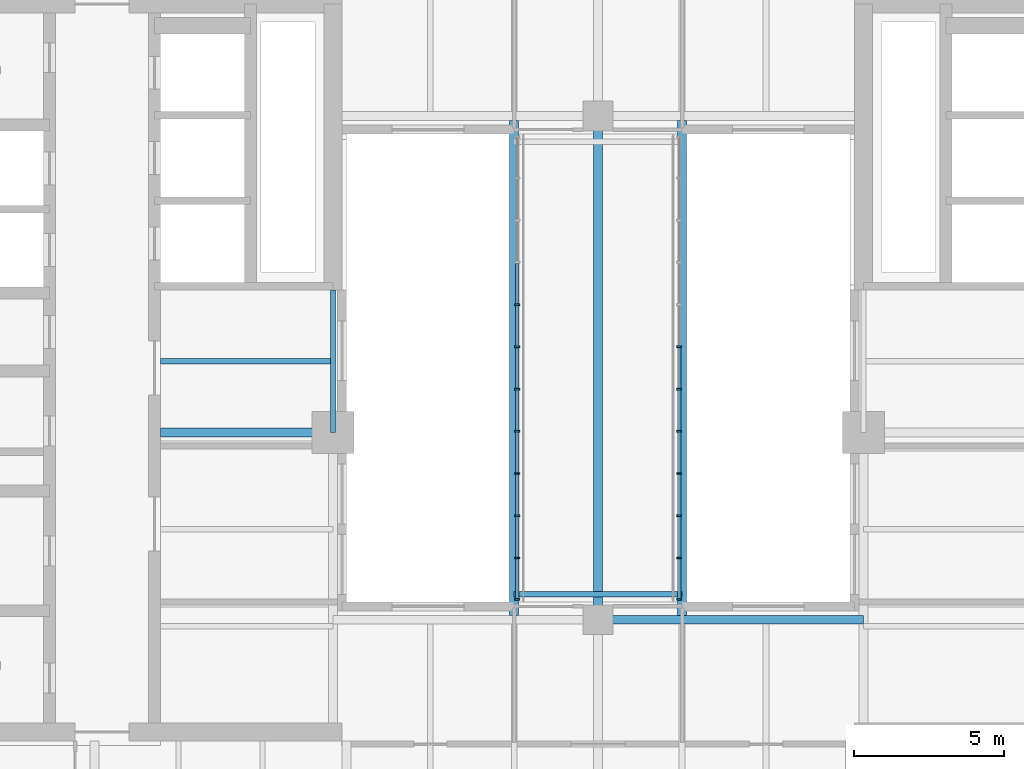
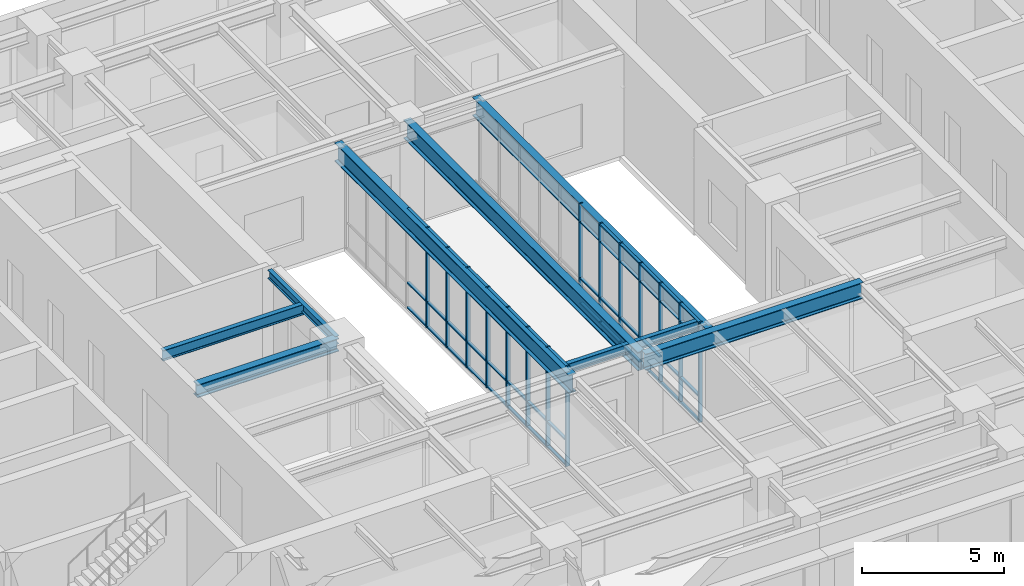
# One storey, part 2 of 14: 56 members, 8 beams, 2 elements without a shape of their own.
"""IFC4 building model written with IfcOpenShell, lengths in metres."""

import ifcopenshell
import ifcopenshell.guid

model = None  # the IFC model being written
_history = None  # IfcOwnerHistory: only IFC2X3 demands one
_inside = {}  # id of a spatial element -> (the spatial element, [elements in it])
_under = {}  # id of a project, library or spatial element -> (it, [spatial elements below it])
_declared = {}  # id of a project -> (the project, [libraries it declares])
_typed = {}  # id of a type object -> (the type object, [elements of that type])
_made_of = {}  # id of a material, layer set ... -> (it, [elements and type objects made of it])


def new_model(schema):
    """Start an empty IFC model of exactly this schema.

    Asked for "IFC4X3", IfcOpenShell would pick the latest addendum, in which some entities
    have other attributes; the version numbers below select the first issue.
    IFC2X3 requires an IfcOwnerHistory on every rooted entity: one is made here for all.
    """
    global model, _history
    if schema == "IFC4X3":
        model = ifcopenshell.file(schema_version=(4, 3, 0, 0))
    else:
        model = ifcopenshell.file(schema=schema)
    _inside.clear()
    _under.clear()
    _declared.clear()
    _typed.clear()
    _made_of.clear()
    _history = None
    if model.schema == "IFC2X3":
        org = make("IfcOrganization", Name="unknown")
        user = make(
            "IfcPersonAndOrganization",
            ThePerson=make("IfcPerson", FamilyName="unknown"),
            TheOrganization=org,
        )
        app = make(
            "IfcApplication",
            ApplicationDeveloper=org,
            Version="unknown",
            ApplicationFullName="unknown",
            ApplicationIdentifier="unknown",
        )
        _history = make(
            "IfcOwnerHistory",
            OwningUser=user,
            OwningApplication=app,
            ChangeAction="ADDED",
            CreationDate=0,
        )
    return model


def make(cls, **values):
    """One entity of the class cls with the attributes given. An attribute that is None is left unset."""
    return model.create_entity(
        cls, **{name: value for name, value in values.items() if value is not None}
    )


def rooted(cls, **values):
    """An entity with a GlobalId (a new one), such as an element, a storey or a relation."""
    return make(cls, GlobalId=ifcopenshell.guid.new(), OwnerHistory=_history, **values)


def si_unit(unit_type, name, prefix=None):
    """IfcSIUnit, for example si_unit("LENGTHUNIT", "METRE", prefix="MILLI")."""
    return make("IfcSIUnit", UnitType=unit_type, Prefix=prefix, Name=name)


def assignment(units):
    """IfcUnitAssignment: the units of a project."""
    return None if units is None else make("IfcUnitAssignment", Units=units)


def point(xyz):
    """IfcCartesianPoint."""
    return None if xyz is None else make("IfcCartesianPoint", Coordinates=xyz)


def direction(xyz):
    """IfcDirection."""
    return None if xyz is None else make("IfcDirection", DirectionRatios=xyz)


def frame(location, z_axis=None, x_axis=None):
    """IfcAxis2Placement3D, a coordinate frame: its origin and axes. An axis left out is left unset."""
    return make(
        "IfcAxis2Placement3D",
        Location=point(location),
        Axis=direction(z_axis),
        RefDirection=direction(x_axis),
    )


def frame_2d(location, x_axis=None):
    """IfcAxis2Placement2D, a coordinate frame in the plane: its origin and x axis."""
    return make(
        "IfcAxis2Placement2D", Location=point(location), RefDirection=direction(x_axis)
    )


def origin():
    """The frame at (0, 0, 0) with its axes left unset."""
    return frame((0.0, 0.0, 0.0))


def origin_2d():
    """The frame at (0, 0) in the plane with its x axis left unset."""
    return frame_2d((0.0, 0.0))


def place(relative_to, where):
    """IfcLocalPlacement: puts the frame where relative to a parent placement (None: the world)."""
    return make(
        "IfcLocalPlacement", PlacementRelTo=relative_to, RelativePlacement=where
    )


def context(
    kind, dimensions, precision=None, world=None, true_north=None, identifier=None
):
    """IfcGeometricRepresentationContext, for example the 3D "Model" context."""
    return make(
        "IfcGeometricRepresentationContext",
        ContextIdentifier=identifier,
        ContextType=kind,
        CoordinateSpaceDimension=dimensions,
        Precision=precision,
        WorldCoordinateSystem=world,
        TrueNorth=true_north,
    )


def subcontext(parent, identifier, kind, view, scale=None):
    """IfcGeometricRepresentationSubContext, for example "Body" below "Model"."""
    return make(
        "IfcGeometricRepresentationSubContext",
        ContextIdentifier=identifier,
        ContextType=kind,
        ParentContext=parent,
        TargetScale=scale,
        TargetView=view,
    )


def project(units=None, contexts=None):
    """IfcProject with its units and contexts."""
    return rooted(
        "IfcProject",
        Name="project",
        RepresentationContexts=contexts,
        UnitsInContext=assignment(units),
    )


def spatial(cls, under=None, at=None, **own):
    """A site, building, storey or space (cls), placed at a placement, below another one or the project."""
    s = rooted(cls, ObjectPlacement=at, **own)
    if under is not None:
        _under.setdefault(under.id(), (under, []))[1].append(s)
    return s


def profile(cls, at=None, kind="AREA", **sizes):
    """A parametric profile (cls). Its sizes go by their IFC names, for example OverallWidth=200.0."""
    return make(cls, ProfileType=kind, Position=at, **sizes)


def rectangle(**sizes):
    """IfcRectangleProfileDef."""
    return profile("IfcRectangleProfileDef", **sizes)


def i_section(**sizes):
    """IfcIShapeProfileDef."""
    return profile("IfcIShapeProfileDef", **sizes)


def extrude(swept, where, along, depth):
    """IfcExtrudedAreaSolid: the profile swept, set in the frame where, extruded along a direction by depth."""
    return make(
        "IfcExtrudedAreaSolid",
        SweptArea=swept,
        Position=where,
        ExtrudedDirection=direction(along),
        Depth=depth,
    )


def shape(context_of_items, identifier, shape_type, items):
    """IfcShapeRepresentation: the items that make up one representation, for example the "Body"."""
    return make(
        "IfcShapeRepresentation",
        ContextOfItems=context_of_items,
        RepresentationIdentifier=identifier,
        RepresentationType=shape_type,
        Items=items,
    )


def material(Name=None, Category=None):
    """IfcMaterial."""
    return make("IfcMaterial", Name=Name, Category=Category)


def material_profile(
    of_material, cross_section, Name=None, Category=None, Priority=None
):
    """IfcMaterialProfile: a cross section and its material."""
    return make(
        "IfcMaterialProfile",
        Name=Name,
        Material=of_material,
        Profile=cross_section,
        Priority=Priority,
        Category=Category,
    )


def profile_set(profiles, Name=None, composite=None):
    """IfcMaterialProfileSet."""
    return make(
        "IfcMaterialProfileSet",
        Name=Name,
        MaterialProfiles=profiles,
        CompositeProfile=composite,
    )


def made_of(thing, what):
    """Note that an element or type object is made of a material, layer set ...; save() writes the relation."""
    if what is not None:
        _made_of.setdefault(what.id(), (what, []))[1].append(thing)
    return thing


def type_object(cls, material=None, **own):
    """A type object (cls), such as IfcWallType, which elements share."""
    return made_of(rooted(cls, **own), material)


def element(
    cls,
    number,
    at=None,
    inside=None,
    cuts=None,
    type_object=None,
    material=None,
    context=None,
    identifier="Body",
    shape_type=None,
    held_by="IfcProductDefinitionShape",
    body=None,
    shapes=None,
    **own,
):
    """One element of the class cls, such as IfcWall. Its Tag is "e" and its number.

    at: its placement. inside: the storey or other place that contains it. cuts: it is an
    opening in that element (IfcRelVoidsElement). A single representation is given by context,
    identifier, shape_type and body (its items); several are given by shapes. held_by: the class
    of the entity that holds the representations. save() writes the other relations.
    """
    e = rooted(cls, Tag="e%d" % number, ObjectPlacement=at, **own)
    if body is not None:
        shapes = [shape(context, identifier, shape_type, body)]
    if shapes is not None:
        e.Representation = make(held_by, Representations=shapes)
    if inside is not None:
        _inside.setdefault(inside.id(), (inside, []))[1].append(e)
    if cuts is not None:
        rooted(
            "IfcRelVoidsElement", RelatingBuildingElement=cuts, RelatedOpeningElement=e
        )
    if type_object is not None:
        _typed.setdefault(type_object.id(), (type_object, []))[1].append(e)
    return made_of(e, material)


def aggregate(whole, parts):
    """IfcRelAggregates: a whole, such as a stair, and the parts it consists of."""
    return rooted("IfcRelAggregates", RelatingObject=whole, RelatedObjects=parts)


def save(model, path):
    """Write the relations noted so far, then the file.

    IfcRelAggregates (storeys below a building ...), IfcRelContainedInSpatialStructure (elements
    in a storey), IfcRelDefinesByType, IfcRelAssociatesMaterial and IfcRelDeclares: one each for
    every whole, place, type object, material and project.
    """
    for whole, parts in _under.values():
        aggregate(whole, parts)
    for where, things in _inside.values():
        rooted(
            "IfcRelContainedInSpatialStructure",
            RelatedElements=things,
            RelatingStructure=where,
        )
    for kind, things in _typed.values():
        rooted("IfcRelDefinesByType", RelatedObjects=things, RelatingType=kind)
    for what, things in _made_of.values():
        rooted("IfcRelAssociatesMaterial", RelatedObjects=things, RelatingMaterial=what)
    for by, libraries in _declared.values():
        rooted("IfcRelDeclares", RelatingContext=by, RelatedDefinitions=libraries)
    model.write(path)


model = new_model("IFC4")

# Units and contexts
model_context = context("Model", 3, precision=1e-05, world=origin(), true_north=direction((0.0, 1.0)))
body_context = subcontext(model_context, "Body", "Model", "MODEL_VIEW")
ifc_project = project(units=[si_unit("LENGTHUNIT", "METRE"), si_unit("AREAUNIT", "SQUARE_METRE"), si_unit("VOLUMEUNIT", "CUBIC_METRE"), si_unit("PLANEANGLEUNIT", "RADIAN"), si_unit("MASSUNIT", "GRAM", prefix="KILO")], contexts=[model_context])

# Site, building, storey
site_placement = place(None, origin())
site = spatial("IfcSite", under=ifc_project, at=site_placement, CompositionType="ELEMENT")
building_placement = place(site_placement, origin())
building = spatial("IfcBuilding", under=site, at=building_placement, Name="Claustro Exchange Tower", CompositionType="ELEMENT")
storey_placement = place(building_placement, frame((0.0, 0.0, 250.199951171875)))
storey = spatial("IfcBuildingStorey", under=building, at=storey_placement, Name="L57", CompositionType="ELEMENT", Elevation=250.199951171875)

# Beams
ifc_material_1 = material(Name="Steel S355", Category="steel")
ifc_material_profile_1 = material_profile(ifc_material_1, i_section(OverallWidth=0.300048828125, OverallDepth=0.68994140625, WebThickness=0.014404296875, FlangeThickness=0.027099609375, FilletRadius=0.027099609375, at=origin_2d()), Name="HE 700 A")
ifc_profile_set_1 = profile_set([ifc_material_profile_1], Name="Steel S355")
beam_type_1 = type_object("IfcBeamType", Name="B13 HE 700 A light well edge girder", PredefinedType="BEAM", material=ifc_profile_set_1)
beam_1_placement = place(storey_placement, frame((25.199951171875, 16.800048828125, 4.005126953125), z_axis=(1.0, 0.0, 0.0), x_axis=(0.0, 1.0, 0.0)))
element("IfcBeam", 1, at=beam_1_placement, inside=storey, type_object=beam_type_1, Name="Beam B13 L58", PredefinedType="BEAM", context=body_context, shape_type="SweptSolid", body=[
    extrude(i_section(OverallWidth=0.300048828125, OverallDepth=0.68994140625, WebThickness=0.014404296875, FlangeThickness=0.027099609375, FilletRadius=0.027099609375, at=origin_2d()), origin(), (0.0, 0.0, 1.0), 8.85009765625),
])
ifc_material_2 = material(Name="Steel S355", Category="steel")
ifc_material_profile_2 = material_profile(ifc_material_2, i_section(OverallWidth=0.300048828125, OverallDepth=0.800048828125, WebThickness=0.017578125, FlangeThickness=0.032958984375, FilletRadius=0.030029296875, at=origin_2d()), Name="HE 800 B")
ifc_profile_set_2 = profile_set([ifc_material_profile_2], Name="Steel S355")
beam_type_2 = type_object("IfcBeamType", Name="B15 HE 800 B bridge roof girder", PredefinedType="BEAM", material=ifc_profile_set_2)
for number, where, z_axis, x_axis, name in (
    (2, (22.39990234375, 16.949951171875, 3.900146484375), (0.0, 1.0, 0.0), (-1.0, 0.0, 0.0), "Sky bridge girder B15 L57"),
    (3, (25.199951171875, 16.949951171875, 3.900146484375), (0.0, 1.0, 0.0), (-1.0, 0.0, 0.0), "Sky bridge girder B15 L57"),
    (4, (28.0, 16.949951171875, 3.900146484375), (0.0, 1.0, 0.0), (-1.0, 0.0, 0.0), "Sky bridge girder B15 L57"),
):
    element("IfcBeam", number, at=place(storey_placement, frame(where, z_axis=z_axis, x_axis=x_axis)), inside=storey, type_object=beam_type_2, Name=name, PredefinedType="BEAM", context=body_context, shape_type="SweptSolid", body=[
        extrude(i_section(OverallWidth=0.300048828125, OverallDepth=0.800048828125, WebThickness=0.017578125, FlangeThickness=0.032958984375, FilletRadius=0.030029296875, at=origin_2d()), origin(), (0.0, 0.0, 1.0), 16.5),
    ])
ifc_material_3 = material(Name="Steel S355", Category="steel")
ifc_material_profile_3 = material_profile(ifc_material_3, i_section(OverallWidth=0.169921875, OverallDepth=0.360107421875, WebThickness=0.008056640625, FlangeThickness=0.0126953125, FilletRadius=0.01806640625, at=origin_2d()), Name="IPE 360")
ifc_profile_set_3 = profile_set([ifc_material_profile_3], Name="Steel S355")
beam_type_3 = type_object("IfcBeamType", Name="B16 IPE 360 short-span beam", PredefinedType="BEAM", material=ifc_profile_set_3)
beam_2_placement = place(storey_placement, frame((16.35009765625, 23.050048828125, 4.170166015625), z_axis=(0.0, 1.0, 0.0), x_axis=(-1.0, 0.0, 0.0)))
element("IfcBeam", 5, at=beam_2_placement, inside=storey, type_object=beam_type_3, Name="Beam B16 core step framing L58", PredefinedType="BEAM", context=body_context, shape_type="SweptSolid", body=[
    extrude(i_section(OverallWidth=0.169921875, OverallDepth=0.360107421875, WebThickness=0.008056640625, FlangeThickness=0.0126953125, FilletRadius=0.01806640625, at=origin_2d()), origin(), (0.0, 0.0, 1.0), 4.75),
])
ifc_material_4 = material(Name="Steel S355", Category="steel")
ifc_material_profile_4 = material_profile(ifc_material_4, i_section(OverallWidth=0.300048828125, OverallDepth=0.550048828125, WebThickness=0.014892578125, FlangeThickness=0.029052734375, FilletRadius=0.027099609375, at=origin_2d()), Name="HE 550 B")
ifc_profile_set_4 = profile_set([ifc_material_profile_4], Name="Steel S355")
beam_type_4 = type_object("IfcBeamType", Name="B17 HE 550 B floor girder", PredefinedType="BEAM", material=ifc_profile_set_4)
beam_3_placement = place(storey_placement, frame((10.60009765625, 23.050048828125, 4.074951171875), z_axis=(1.0, 0.0, 0.0), x_axis=(0.0, 1.0, 0.0)))
element("IfcBeam", 6, at=beam_3_placement, inside=storey, type_object=beam_type_4, Name="Beam B17 core step framing L58", PredefinedType="BEAM", context=body_context, shape_type="SweptSolid", body=[
    extrude(i_section(OverallWidth=0.300048828125, OverallDepth=0.550048828125, WebThickness=0.014892578125, FlangeThickness=0.029052734375, FilletRadius=0.027099609375, at=origin_2d()), origin(), (0.0, 0.0, 1.0), 5.75),
])
ifc_material_5 = material(Name="Steel S355", Category="steel")
ifc_material_profile_5 = material_profile(ifc_material_5, i_section(OverallWidth=0.179931640625, OverallDepth=0.39990234375, WebThickness=0.008544921875, FlangeThickness=0.013427734375, FilletRadius=0.02099609375, at=origin_2d()), Name="IPE 400")
ifc_profile_set_5 = profile_set([ifc_material_profile_5], Name="Steel S355")
beam_type_5 = type_object("IfcBeamType", Name="B21 IPE 400 sky bridge end trimmer", PredefinedType="BEAM", material=ifc_profile_set_5)
beam_4_placement = place(storey_placement, frame((22.39990234375, 17.64990234375, 4.10009765625), z_axis=(1.0, 0.0, 0.0), x_axis=(0.0, 1.0, 0.0)))
element("IfcBeam", 7, at=beam_4_placement, inside=storey, type_object=beam_type_5, Name="Sky bridge end trimmer B21 L57", PredefinedType="BEAM", context=body_context, shape_type="SweptSolid", body=[
    extrude(i_section(OverallWidth=0.179931640625, OverallDepth=0.39990234375, WebThickness=0.008544921875, FlangeThickness=0.013427734375, FilletRadius=0.02099609375, at=origin_2d()), origin(), (0.0, 0.0, 1.0), 5.60009765625),
])
ifc_material_6 = material(Name="Steel S355", Category="steel")
ifc_material_profile_6 = material_profile(ifc_material_6, i_section(OverallWidth=0.18994140625, OverallDepth=0.449951171875, WebThickness=0.009521484375, FlangeThickness=0.0146484375, FilletRadius=0.02099609375, at=origin_2d()), Name="IPE 450")
ifc_profile_set_6 = profile_set([ifc_material_profile_6], Name="Steel S355")
beam_type_6 = type_object("IfcBeamType", Name="B8 IPE 450 secondary beam", PredefinedType="BEAM", material=ifc_profile_set_6)
beam_5_placement = place(storey_placement, frame((10.60009765625, 25.425048828125, 4.125), z_axis=(1.0, 0.0, 0.0), x_axis=(0.0, 1.0, 0.0)))
element("IfcBeam", 8, at=beam_5_placement, inside=storey, type_object=beam_type_6, Name="Beam B8 core step framing L58", PredefinedType="BEAM", context=body_context, shape_type="SweptSolid", body=[
    extrude(i_section(OverallWidth=0.18994140625, OverallDepth=0.449951171875, WebThickness=0.009521484375, FlangeThickness=0.0146484375, FilletRadius=0.02099609375, at=origin_2d()), origin(), (0.0, 0.0, 1.0), 5.75),
])

# Curtain wall, members
ifc_material_7 = material(Name="Aluminium frame, clear double glazing", Category="aluminium")
curtain_wall_type = type_object("IfcCurtainWallType", Name="CW2 sky bridge curtain wall", PredefinedType="USERDEFINED", material=ifc_material_7)
curtain_wall_1_placement = place(storey_placement, origin())
curtain_wall_1 = element("IfcCurtainWall", 9, at=curtain_wall_1_placement, inside=storey, type_object=curtain_wall_type, Name="Curtain wall CW2 L57", ObjectType="STICK CURTAIN WALL", PredefinedType="USERDEFINED")
ifc_material_8 = material(Name="Aluminium mullion", Category="aluminium")
ifc_material_profile_7 = material_profile(ifc_material_8, rectangle(XDim=0.159912109375, YDim=0.06005859375, at=origin_2d()), Name="CW2-M 60x160")
ifc_profile_set_7 = profile_set([ifc_material_profile_7], Name="Aluminium mullion")
member_type_1 = type_object("IfcMemberType", Name="CW2-M 60 x 160 mullion", PredefinedType="MULLION", material=ifc_profile_set_7)
member_1_placement = place(storey_placement, frame((22.5, 17.47998046875, 0.0), z_axis=(0.0, 0.0, 1.0), x_axis=(-1.0, 0.0, 0.0)))
member_1 = element("IfcMember", 10, at=member_1_placement, type_object=member_type_1, Name="CW2 mullion 1", PredefinedType="MULLION", context=body_context, shape_type="SweptSolid", body=[
    extrude(rectangle(XDim=0.159912109375, YDim=0.06005859375, at=origin_2d()), origin(), (0.0, 0.0, 1.0), 4.300048828125),
])
member_2_placement = place(storey_placement, frame((22.5, 18.859130859375, 0.0), z_axis=(0.0, 0.0, 1.0), x_axis=(-1.0, 0.0, 0.0)))
member_2 = element("IfcMember", 11, at=member_2_placement, type_object=member_type_1, Name="CW2 mullion 2", PredefinedType="MULLION", context=body_context, shape_type="SweptSolid", body=[
    extrude(rectangle(XDim=0.159912109375, YDim=0.06005859375, at=origin_2d()), origin(), (0.0, 0.0, 1.0), 4.300048828125),
])
member_3_placement = place(storey_placement, frame((22.5, 20.26806640625, 0.0), z_axis=(0.0, 0.0, 1.0), x_axis=(-1.0, 0.0, 0.0)))
member_3 = element("IfcMember", 12, at=member_3_placement, type_object=member_type_1, Name="CW2 mullion 3", PredefinedType="MULLION", context=body_context, shape_type="SweptSolid", body=[
    extrude(rectangle(XDim=0.159912109375, YDim=0.06005859375, at=origin_2d()), origin(), (0.0, 0.0, 1.0), 4.300048828125),
])
member_4_placement = place(storey_placement, frame((22.5, 21.67724609375, 0.0), z_axis=(0.0, 0.0, 1.0), x_axis=(-1.0, 0.0, 0.0)))
member_4 = element("IfcMember", 13, at=member_4_placement, type_object=member_type_1, Name="CW2 mullion 4", PredefinedType="MULLION", context=body_context, shape_type="SweptSolid", body=[
    extrude(rectangle(XDim=0.159912109375, YDim=0.06005859375, at=origin_2d()), origin(), (0.0, 0.0, 1.0), 4.300048828125),
])
member_5_placement = place(storey_placement, frame((22.5, 23.08642578125, 0.0), z_axis=(0.0, 0.0, 1.0), x_axis=(-1.0, 0.0, 0.0)))
member_5 = element("IfcMember", 14, at=member_5_placement, type_object=member_type_1, Name="CW2 mullion 5", PredefinedType="MULLION", context=body_context, shape_type="SweptSolid", body=[
    extrude(rectangle(XDim=0.159912109375, YDim=0.06005859375, at=origin_2d()), origin(), (0.0, 0.0, 1.0), 4.300048828125),
])
member_6_placement = place(storey_placement, frame((22.5, 24.495361328125, 0.0), z_axis=(0.0, 0.0, 1.0), x_axis=(-1.0, 0.0, 0.0)))
member_6 = element("IfcMember", 15, at=member_6_placement, type_object=member_type_1, Name="CW2 mullion 6", PredefinedType="MULLION", context=body_context, shape_type="SweptSolid", body=[
    extrude(rectangle(XDim=0.159912109375, YDim=0.06005859375, at=origin_2d()), origin(), (0.0, 0.0, 1.0), 4.300048828125),
])
member_7_placement = place(storey_placement, frame((22.5, 25.904541015625, 0.0), z_axis=(0.0, 0.0, 1.0), x_axis=(-1.0, 0.0, 0.0)))
member_7 = element("IfcMember", 16, at=member_7_placement, type_object=member_type_1, Name="CW2 mullion 7", PredefinedType="MULLION", context=body_context, shape_type="SweptSolid", body=[
    extrude(rectangle(XDim=0.159912109375, YDim=0.06005859375, at=origin_2d()), origin(), (0.0, 0.0, 1.0), 4.300048828125),
])
member_8_placement = place(storey_placement, frame((22.5, 27.313720703125, 0.0), z_axis=(0.0, 0.0, 1.0), x_axis=(-1.0, 0.0, 0.0)))
member_8 = element("IfcMember", 17, at=member_8_placement, type_object=member_type_1, Name="CW2 mullion 8", PredefinedType="MULLION", context=body_context, shape_type="SweptSolid", body=[
    extrude(rectangle(XDim=0.159912109375, YDim=0.06005859375, at=origin_2d()), origin(), (0.0, 0.0, 1.0), 4.300048828125),
])

curtain_wall_2_placement = place(storey_placement, origin())
curtain_wall_2 = element("IfcCurtainWall", 18, at=curtain_wall_2_placement, inside=storey, type_object=curtain_wall_type, Name="Curtain wall CW2 L57", ObjectType="STICK CURTAIN WALL", PredefinedType="USERDEFINED")
member_9_placement = place(storey_placement, frame((27.89990234375, 17.47998046875, 0.0), z_axis=(0.0, 0.0, 1.0), x_axis=(-1.0, 0.0, 0.0)))
member_9 = element("IfcMember", 19, at=member_9_placement, type_object=member_type_1, Name="CW2 mullion 1", PredefinedType="MULLION", context=body_context, shape_type="SweptSolid", body=[
    extrude(rectangle(XDim=0.159912109375, YDim=0.06005859375, at=origin_2d()), origin(), (0.0, 0.0, 1.0), 4.300048828125),
])
member_10_placement = place(storey_placement, frame((27.89990234375, 18.859130859375, 0.0), z_axis=(0.0, 0.0, 1.0), x_axis=(-1.0, 0.0, 0.0)))
member_10 = element("IfcMember", 20, at=member_10_placement, type_object=member_type_1, Name="CW2 mullion 2", PredefinedType="MULLION", context=body_context, shape_type="SweptSolid", body=[
    extrude(rectangle(XDim=0.159912109375, YDim=0.06005859375, at=origin_2d()), origin(), (0.0, 0.0, 1.0), 4.300048828125),
])
member_11_placement = place(storey_placement, frame((27.89990234375, 20.26806640625, 0.0), z_axis=(0.0, 0.0, 1.0), x_axis=(-1.0, 0.0, 0.0)))
member_11 = element("IfcMember", 21, at=member_11_placement, type_object=member_type_1, Name="CW2 mullion 3", PredefinedType="MULLION", context=body_context, shape_type="SweptSolid", body=[
    extrude(rectangle(XDim=0.159912109375, YDim=0.06005859375, at=origin_2d()), origin(), (0.0, 0.0, 1.0), 4.300048828125),
])
member_12_placement = place(storey_placement, frame((27.89990234375, 21.67724609375, 0.0), z_axis=(0.0, 0.0, 1.0), x_axis=(-1.0, 0.0, 0.0)))
member_12 = element("IfcMember", 22, at=member_12_placement, type_object=member_type_1, Name="CW2 mullion 4", PredefinedType="MULLION", context=body_context, shape_type="SweptSolid", body=[
    extrude(rectangle(XDim=0.159912109375, YDim=0.06005859375, at=origin_2d()), origin(), (0.0, 0.0, 1.0), 4.300048828125),
])
member_13_placement = place(storey_placement, frame((27.89990234375, 23.08642578125, 0.0), z_axis=(0.0, 0.0, 1.0), x_axis=(-1.0, 0.0, 0.0)))
member_13 = element("IfcMember", 23, at=member_13_placement, type_object=member_type_1, Name="CW2 mullion 5", PredefinedType="MULLION", context=body_context, shape_type="SweptSolid", body=[
    extrude(rectangle(XDim=0.159912109375, YDim=0.06005859375, at=origin_2d()), origin(), (0.0, 0.0, 1.0), 4.300048828125),
])
member_14_placement = place(storey_placement, frame((27.89990234375, 24.495361328125, 0.0), z_axis=(0.0, 0.0, 1.0), x_axis=(-1.0, 0.0, 0.0)))
member_14 = element("IfcMember", 24, at=member_14_placement, type_object=member_type_1, Name="CW2 mullion 6", PredefinedType="MULLION", context=body_context, shape_type="SweptSolid", body=[
    extrude(rectangle(XDim=0.159912109375, YDim=0.06005859375, at=origin_2d()), origin(), (0.0, 0.0, 1.0), 4.300048828125),
])
member_15_placement = place(storey_placement, frame((27.89990234375, 25.904541015625, 0.0), z_axis=(0.0, 0.0, 1.0), x_axis=(-1.0, 0.0, 0.0)))
member_15 = element("IfcMember", 25, at=member_15_placement, type_object=member_type_1, Name="CW2 mullion 7", PredefinedType="MULLION", context=body_context, shape_type="SweptSolid", body=[
    extrude(rectangle(XDim=0.159912109375, YDim=0.06005859375, at=origin_2d()), origin(), (0.0, 0.0, 1.0), 4.300048828125),
])

# Member
ifc_material_9 = material(Name="Aluminium transom", Category="aluminium")
ifc_material_profile_8 = material_profile(ifc_material_9, rectangle(XDim=0.1201171875, YDim=0.06005859375, at=origin_2d()), Name="CW2-T 60x120")
ifc_profile_set_8 = profile_set([ifc_material_profile_8], Name="Aluminium transom")
member_type_2 = type_object("IfcMemberType", Name="CW2-T 60 x 120 transom", PredefinedType="USERDEFINED", material=ifc_profile_set_8)
member_16_placement = place(storey_placement, frame((22.5, 17.510009765625, 0.030029296875), z_axis=(0.0, 1.0, 0.0), x_axis=(-1.0, 0.0, 0.0)))
member_16 = element("IfcMember", 26, at=member_16_placement, type_object=member_type_2, Name="CW2 transom 1.1", ObjectType="TRANSOM", PredefinedType="USERDEFINED", context=body_context, shape_type="SweptSolid", body=[
    extrude(rectangle(XDim=0.1201171875, YDim=0.06005859375, at=origin_2d()), origin(), (0.0, 0.0, 1.0), 1.319091796875),
])

member_17_placement = place(storey_placement, frame((22.5, 17.510009765625, 1.10009765625), z_axis=(0.0, 1.0, 0.0), x_axis=(-1.0, 0.0, 0.0)))
member_17 = element("IfcMember", 27, at=member_17_placement, type_object=member_type_2, Name="CW2 transom 1.2", ObjectType="TRANSOM", PredefinedType="USERDEFINED", context=body_context, shape_type="SweptSolid", body=[
    extrude(rectangle(XDim=0.1201171875, YDim=0.06005859375, at=origin_2d()), origin(), (0.0, 0.0, 1.0), 1.319091796875),
])

member_18_placement = place(storey_placement, frame((22.5, 17.510009765625, 4.27001953125), z_axis=(0.0, 1.0, 0.0), x_axis=(-1.0, 0.0, 0.0)))
member_18 = element("IfcMember", 28, at=member_18_placement, type_object=member_type_2, Name="CW2 transom 1.3", ObjectType="TRANSOM", PredefinedType="USERDEFINED", context=body_context, shape_type="SweptSolid", body=[
    extrude(rectangle(XDim=0.1201171875, YDim=0.06005859375, at=origin_2d()), origin(), (0.0, 0.0, 1.0), 1.319091796875),
])

member_19_placement = place(storey_placement, frame((22.5, 18.88916015625, 0.030029296875), z_axis=(0.0, 1.0, 0.0), x_axis=(-1.0, 0.0, 0.0)))
member_19 = element("IfcMember", 29, at=member_19_placement, type_object=member_type_2, Name="CW2 transom 2.1", ObjectType="TRANSOM", PredefinedType="USERDEFINED", context=body_context, shape_type="SweptSolid", body=[
    extrude(rectangle(XDim=0.1201171875, YDim=0.06005859375, at=origin_2d()), origin(), (0.0, 0.0, 1.0), 1.34912109375),
])

member_20_placement = place(storey_placement, frame((22.5, 18.88916015625, 1.10009765625), z_axis=(0.0, 1.0, 0.0), x_axis=(-1.0, 0.0, 0.0)))
member_20 = element("IfcMember", 30, at=member_20_placement, type_object=member_type_2, Name="CW2 transom 2.2", ObjectType="TRANSOM", PredefinedType="USERDEFINED", context=body_context, shape_type="SweptSolid", body=[
    extrude(rectangle(XDim=0.1201171875, YDim=0.06005859375, at=origin_2d()), origin(), (0.0, 0.0, 1.0), 1.34912109375),
])

member_21_placement = place(storey_placement, frame((22.5, 18.88916015625, 4.27001953125), z_axis=(0.0, 1.0, 0.0), x_axis=(-1.0, 0.0, 0.0)))
member_21 = element("IfcMember", 31, at=member_21_placement, type_object=member_type_2, Name="CW2 transom 2.3", ObjectType="TRANSOM", PredefinedType="USERDEFINED", context=body_context, shape_type="SweptSolid", body=[
    extrude(rectangle(XDim=0.1201171875, YDim=0.06005859375, at=origin_2d()), origin(), (0.0, 0.0, 1.0), 1.34912109375),
])

member_22_placement = place(storey_placement, frame((22.5, 20.298095703125, 0.030029296875), z_axis=(0.0, 1.0, 0.0), x_axis=(-1.0, 0.0, 0.0)))
member_22 = element("IfcMember", 32, at=member_22_placement, type_object=member_type_2, Name="CW2 transom 3.1", ObjectType="TRANSOM", PredefinedType="USERDEFINED", context=body_context, shape_type="SweptSolid", body=[
    extrude(rectangle(XDim=0.1201171875, YDim=0.06005859375, at=origin_2d()), origin(), (0.0, 0.0, 1.0), 1.34912109375),
])

member_23_placement = place(storey_placement, frame((22.5, 20.298095703125, 1.10009765625), z_axis=(0.0, 1.0, 0.0), x_axis=(-1.0, 0.0, 0.0)))
member_23 = element("IfcMember", 33, at=member_23_placement, type_object=member_type_2, Name="CW2 transom 3.2", ObjectType="TRANSOM", PredefinedType="USERDEFINED", context=body_context, shape_type="SweptSolid", body=[
    extrude(rectangle(XDim=0.1201171875, YDim=0.06005859375, at=origin_2d()), origin(), (0.0, 0.0, 1.0), 1.34912109375),
])

member_24_placement = place(storey_placement, frame((22.5, 20.298095703125, 4.27001953125), z_axis=(0.0, 1.0, 0.0), x_axis=(-1.0, 0.0, 0.0)))
member_24 = element("IfcMember", 34, at=member_24_placement, type_object=member_type_2, Name="CW2 transom 3.3", ObjectType="TRANSOM", PredefinedType="USERDEFINED", context=body_context, shape_type="SweptSolid", body=[
    extrude(rectangle(XDim=0.1201171875, YDim=0.06005859375, at=origin_2d()), origin(), (0.0, 0.0, 1.0), 1.34912109375),
])

member_25_placement = place(storey_placement, frame((22.5, 21.707275390625, 0.030029296875), z_axis=(0.0, 1.0, 0.0), x_axis=(-1.0, 0.0, 0.0)))
member_25 = element("IfcMember", 35, at=member_25_placement, type_object=member_type_2, Name="CW2 transom 4.1", ObjectType="TRANSOM", PredefinedType="USERDEFINED", context=body_context, shape_type="SweptSolid", body=[
    extrude(rectangle(XDim=0.1201171875, YDim=0.06005859375, at=origin_2d()), origin(), (0.0, 0.0, 1.0), 1.34912109375),
])

member_26_placement = place(storey_placement, frame((22.5, 21.707275390625, 1.10009765625), z_axis=(0.0, 1.0, 0.0), x_axis=(-1.0, 0.0, 0.0)))
member_26 = element("IfcMember", 36, at=member_26_placement, type_object=member_type_2, Name="CW2 transom 4.2", ObjectType="TRANSOM", PredefinedType="USERDEFINED", context=body_context, shape_type="SweptSolid", body=[
    extrude(rectangle(XDim=0.1201171875, YDim=0.06005859375, at=origin_2d()), origin(), (0.0, 0.0, 1.0), 1.34912109375),
])

member_27_placement = place(storey_placement, frame((22.5, 21.707275390625, 4.27001953125), z_axis=(0.0, 1.0, 0.0), x_axis=(-1.0, 0.0, 0.0)))
member_27 = element("IfcMember", 37, at=member_27_placement, type_object=member_type_2, Name="CW2 transom 4.3", ObjectType="TRANSOM", PredefinedType="USERDEFINED", context=body_context, shape_type="SweptSolid", body=[
    extrude(rectangle(XDim=0.1201171875, YDim=0.06005859375, at=origin_2d()), origin(), (0.0, 0.0, 1.0), 1.34912109375),
])

member_28_placement = place(storey_placement, frame((22.5, 23.116455078125, 0.030029296875), z_axis=(0.0, 1.0, 0.0), x_axis=(-1.0, 0.0, 0.0)))
member_28 = element("IfcMember", 38, at=member_28_placement, type_object=member_type_2, Name="CW2 transom 5.1", ObjectType="TRANSOM", PredefinedType="USERDEFINED", context=body_context, shape_type="SweptSolid", body=[
    extrude(rectangle(XDim=0.1201171875, YDim=0.06005859375, at=origin_2d()), origin(), (0.0, 0.0, 1.0), 1.34912109375),
])

member_29_placement = place(storey_placement, frame((22.5, 23.116455078125, 1.10009765625), z_axis=(0.0, 1.0, 0.0), x_axis=(-1.0, 0.0, 0.0)))
member_29 = element("IfcMember", 39, at=member_29_placement, type_object=member_type_2, Name="CW2 transom 5.2", ObjectType="TRANSOM", PredefinedType="USERDEFINED", context=body_context, shape_type="SweptSolid", body=[
    extrude(rectangle(XDim=0.1201171875, YDim=0.06005859375, at=origin_2d()), origin(), (0.0, 0.0, 1.0), 1.34912109375),
])

member_30_placement = place(storey_placement, frame((22.5, 23.116455078125, 4.27001953125), z_axis=(0.0, 1.0, 0.0), x_axis=(-1.0, 0.0, 0.0)))
member_30 = element("IfcMember", 40, at=member_30_placement, type_object=member_type_2, Name="CW2 transom 5.3", ObjectType="TRANSOM", PredefinedType="USERDEFINED", context=body_context, shape_type="SweptSolid", body=[
    extrude(rectangle(XDim=0.1201171875, YDim=0.06005859375, at=origin_2d()), origin(), (0.0, 0.0, 1.0), 1.34912109375),
])

member_31_placement = place(storey_placement, frame((22.5, 24.525390625, 0.030029296875), z_axis=(0.0, 1.0, 0.0), x_axis=(-1.0, 0.0, 0.0)))
member_31 = element("IfcMember", 41, at=member_31_placement, type_object=member_type_2, Name="CW2 transom 6.1", ObjectType="TRANSOM", PredefinedType="USERDEFINED", context=body_context, shape_type="SweptSolid", body=[
    extrude(rectangle(XDim=0.1201171875, YDim=0.06005859375, at=origin_2d()), origin(), (0.0, 0.0, 1.0), 1.34912109375),
])

member_32_placement = place(storey_placement, frame((22.5, 24.525390625, 1.10009765625), z_axis=(0.0, 1.0, 0.0), x_axis=(-1.0, 0.0, 0.0)))
member_32 = element("IfcMember", 42, at=member_32_placement, type_object=member_type_2, Name="CW2 transom 6.2", ObjectType="TRANSOM", PredefinedType="USERDEFINED", context=body_context, shape_type="SweptSolid", body=[
    extrude(rectangle(XDim=0.1201171875, YDim=0.06005859375, at=origin_2d()), origin(), (0.0, 0.0, 1.0), 1.34912109375),
])

member_33_placement = place(storey_placement, frame((22.5, 24.525390625, 4.27001953125), z_axis=(0.0, 1.0, 0.0), x_axis=(-1.0, 0.0, 0.0)))
member_33 = element("IfcMember", 43, at=member_33_placement, type_object=member_type_2, Name="CW2 transom 6.3", ObjectType="TRANSOM", PredefinedType="USERDEFINED", context=body_context, shape_type="SweptSolid", body=[
    extrude(rectangle(XDim=0.1201171875, YDim=0.06005859375, at=origin_2d()), origin(), (0.0, 0.0, 1.0), 1.34912109375),
])

member_34_placement = place(storey_placement, frame((22.5, 25.9345703125, 0.030029296875), z_axis=(0.0, 1.0, 0.0), x_axis=(-1.0, 0.0, 0.0)))
member_34 = element("IfcMember", 44, at=member_34_placement, type_object=member_type_2, Name="CW2 transom 7.1", ObjectType="TRANSOM", PredefinedType="USERDEFINED", context=body_context, shape_type="SweptSolid", body=[
    extrude(rectangle(XDim=0.1201171875, YDim=0.06005859375, at=origin_2d()), origin(), (0.0, 0.0, 1.0), 1.34912109375),
])

member_35_placement = place(storey_placement, frame((22.5, 25.9345703125, 1.10009765625), z_axis=(0.0, 1.0, 0.0), x_axis=(-1.0, 0.0, 0.0)))
member_35 = element("IfcMember", 45, at=member_35_placement, type_object=member_type_2, Name="CW2 transom 7.2", ObjectType="TRANSOM", PredefinedType="USERDEFINED", context=body_context, shape_type="SweptSolid", body=[
    extrude(rectangle(XDim=0.1201171875, YDim=0.06005859375, at=origin_2d()), origin(), (0.0, 0.0, 1.0), 1.34912109375),
])

member_36_placement = place(storey_placement, frame((22.5, 25.9345703125, 4.27001953125), z_axis=(0.0, 1.0, 0.0), x_axis=(-1.0, 0.0, 0.0)))
member_36 = element("IfcMember", 46, at=member_36_placement, type_object=member_type_2, Name="CW2 transom 7.3", ObjectType="TRANSOM", PredefinedType="USERDEFINED", context=body_context, shape_type="SweptSolid", body=[
    extrude(rectangle(XDim=0.1201171875, YDim=0.06005859375, at=origin_2d()), origin(), (0.0, 0.0, 1.0), 1.34912109375),
])

member_37_placement = place(storey_placement, frame((22.5, 27.34375, 0.030029296875), z_axis=(0.0, 1.0, 0.0), x_axis=(-1.0, 0.0, 0.0)))
member_37 = element("IfcMember", 47, at=member_37_placement, type_object=member_type_2, Name="CW2 transom 8.1", ObjectType="TRANSOM", PredefinedType="USERDEFINED", context=body_context, shape_type="SweptSolid", body=[
    extrude(rectangle(XDim=0.1201171875, YDim=0.06005859375, at=origin_2d()), origin(), (0.0, 0.0, 1.0), 1.348876953125),
])

member_38_placement = place(storey_placement, frame((22.5, 27.34375, 1.10009765625), z_axis=(0.0, 1.0, 0.0), x_axis=(-1.0, 0.0, 0.0)))
member_38 = element("IfcMember", 48, at=member_38_placement, type_object=member_type_2, Name="CW2 transom 8.2", ObjectType="TRANSOM", PredefinedType="USERDEFINED", context=body_context, shape_type="SweptSolid", body=[
    extrude(rectangle(XDim=0.1201171875, YDim=0.06005859375, at=origin_2d()), origin(), (0.0, 0.0, 1.0), 1.348876953125),
])

member_39_placement = place(storey_placement, frame((22.5, 27.34375, 4.27001953125), z_axis=(0.0, 1.0, 0.0), x_axis=(-1.0, 0.0, 0.0)))
member_39 = element("IfcMember", 49, at=member_39_placement, type_object=member_type_2, Name="CW2 transom 8.3", ObjectType="TRANSOM", PredefinedType="USERDEFINED", context=body_context, shape_type="SweptSolid", body=[
    extrude(rectangle(XDim=0.1201171875, YDim=0.06005859375, at=origin_2d()), origin(), (0.0, 0.0, 1.0), 1.348876953125),
])

aggregate(curtain_wall_1, [member_1, member_2, member_3, member_4, member_5, member_6, member_7, member_8, member_16, member_17, member_18, member_19, member_20, member_21, member_22, member_23, member_24, member_25, member_26, member_27, member_28, member_29, member_30, member_31, member_32, member_33, member_34, member_35, member_36, member_37, member_38, member_39])

member_40_placement = place(storey_placement, frame((27.89990234375, 17.510009765625, 0.030029296875), z_axis=(0.0, 1.0, 0.0), x_axis=(-1.0, 0.0, 0.0)))
member_40 = element("IfcMember", 50, at=member_40_placement, type_object=member_type_2, Name="CW2 transom 1.1", ObjectType="TRANSOM", PredefinedType="USERDEFINED", context=body_context, shape_type="SweptSolid", body=[
    extrude(rectangle(XDim=0.1201171875, YDim=0.06005859375, at=origin_2d()), origin(), (0.0, 0.0, 1.0), 1.319091796875),
])

member_41_placement = place(storey_placement, frame((27.89990234375, 17.510009765625, 1.10009765625), z_axis=(0.0, 1.0, 0.0), x_axis=(-1.0, 0.0, 0.0)))
member_41 = element("IfcMember", 51, at=member_41_placement, type_object=member_type_2, Name="CW2 transom 1.2", ObjectType="TRANSOM", PredefinedType="USERDEFINED", context=body_context, shape_type="SweptSolid", body=[
    extrude(rectangle(XDim=0.1201171875, YDim=0.06005859375, at=origin_2d()), origin(), (0.0, 0.0, 1.0), 1.319091796875),
])

member_42_placement = place(storey_placement, frame((27.89990234375, 17.510009765625, 4.27001953125), z_axis=(0.0, 1.0, 0.0), x_axis=(-1.0, 0.0, 0.0)))
member_42 = element("IfcMember", 52, at=member_42_placement, type_object=member_type_2, Name="CW2 transom 1.3", ObjectType="TRANSOM", PredefinedType="USERDEFINED", context=body_context, shape_type="SweptSolid", body=[
    extrude(rectangle(XDim=0.1201171875, YDim=0.06005859375, at=origin_2d()), origin(), (0.0, 0.0, 1.0), 1.319091796875),
])

member_43_placement = place(storey_placement, frame((27.89990234375, 18.88916015625, 0.030029296875), z_axis=(0.0, 1.0, 0.0), x_axis=(-1.0, 0.0, 0.0)))
member_43 = element("IfcMember", 53, at=member_43_placement, type_object=member_type_2, Name="CW2 transom 2.1", ObjectType="TRANSOM", PredefinedType="USERDEFINED", context=body_context, shape_type="SweptSolid", body=[
    extrude(rectangle(XDim=0.1201171875, YDim=0.06005859375, at=origin_2d()), origin(), (0.0, 0.0, 1.0), 1.34912109375),
])

member_44_placement = place(storey_placement, frame((27.89990234375, 18.88916015625, 1.10009765625), z_axis=(0.0, 1.0, 0.0), x_axis=(-1.0, 0.0, 0.0)))
member_44 = element("IfcMember", 54, at=member_44_placement, type_object=member_type_2, Name="CW2 transom 2.2", ObjectType="TRANSOM", PredefinedType="USERDEFINED", context=body_context, shape_type="SweptSolid", body=[
    extrude(rectangle(XDim=0.1201171875, YDim=0.06005859375, at=origin_2d()), origin(), (0.0, 0.0, 1.0), 1.34912109375),
])

member_45_placement = place(storey_placement, frame((27.89990234375, 18.88916015625, 4.27001953125), z_axis=(0.0, 1.0, 0.0), x_axis=(-1.0, 0.0, 0.0)))
member_45 = element("IfcMember", 55, at=member_45_placement, type_object=member_type_2, Name="CW2 transom 2.3", ObjectType="TRANSOM", PredefinedType="USERDEFINED", context=body_context, shape_type="SweptSolid", body=[
    extrude(rectangle(XDim=0.1201171875, YDim=0.06005859375, at=origin_2d()), origin(), (0.0, 0.0, 1.0), 1.34912109375),
])

member_46_placement = place(storey_placement, frame((27.89990234375, 20.298095703125, 0.030029296875), z_axis=(0.0, 1.0, 0.0), x_axis=(-1.0, 0.0, 0.0)))
member_46 = element("IfcMember", 56, at=member_46_placement, type_object=member_type_2, Name="CW2 transom 3.1", ObjectType="TRANSOM", PredefinedType="USERDEFINED", context=body_context, shape_type="SweptSolid", body=[
    extrude(rectangle(XDim=0.1201171875, YDim=0.06005859375, at=origin_2d()), origin(), (0.0, 0.0, 1.0), 1.34912109375),
])

member_47_placement = place(storey_placement, frame((27.89990234375, 20.298095703125, 1.10009765625), z_axis=(0.0, 1.0, 0.0), x_axis=(-1.0, 0.0, 0.0)))
member_47 = element("IfcMember", 57, at=member_47_placement, type_object=member_type_2, Name="CW2 transom 3.2", ObjectType="TRANSOM", PredefinedType="USERDEFINED", context=body_context, shape_type="SweptSolid", body=[
    extrude(rectangle(XDim=0.1201171875, YDim=0.06005859375, at=origin_2d()), origin(), (0.0, 0.0, 1.0), 1.34912109375),
])

member_48_placement = place(storey_placement, frame((27.89990234375, 20.298095703125, 4.27001953125), z_axis=(0.0, 1.0, 0.0), x_axis=(-1.0, 0.0, 0.0)))
member_48 = element("IfcMember", 58, at=member_48_placement, type_object=member_type_2, Name="CW2 transom 3.3", ObjectType="TRANSOM", PredefinedType="USERDEFINED", context=body_context, shape_type="SweptSolid", body=[
    extrude(rectangle(XDim=0.1201171875, YDim=0.06005859375, at=origin_2d()), origin(), (0.0, 0.0, 1.0), 1.34912109375),
])

member_49_placement = place(storey_placement, frame((27.89990234375, 21.707275390625, 0.030029296875), z_axis=(0.0, 1.0, 0.0), x_axis=(-1.0, 0.0, 0.0)))
member_49 = element("IfcMember", 59, at=member_49_placement, type_object=member_type_2, Name="CW2 transom 4.1", ObjectType="TRANSOM", PredefinedType="USERDEFINED", context=body_context, shape_type="SweptSolid", body=[
    extrude(rectangle(XDim=0.1201171875, YDim=0.06005859375, at=origin_2d()), origin(), (0.0, 0.0, 1.0), 1.34912109375),
])

member_50_placement = place(storey_placement, frame((27.89990234375, 21.707275390625, 1.10009765625), z_axis=(0.0, 1.0, 0.0), x_axis=(-1.0, 0.0, 0.0)))
member_50 = element("IfcMember", 60, at=member_50_placement, type_object=member_type_2, Name="CW2 transom 4.2", ObjectType="TRANSOM", PredefinedType="USERDEFINED", context=body_context, shape_type="SweptSolid", body=[
    extrude(rectangle(XDim=0.1201171875, YDim=0.06005859375, at=origin_2d()), origin(), (0.0, 0.0, 1.0), 1.34912109375),
])

member_51_placement = place(storey_placement, frame((27.89990234375, 21.707275390625, 4.27001953125), z_axis=(0.0, 1.0, 0.0), x_axis=(-1.0, 0.0, 0.0)))
member_51 = element("IfcMember", 61, at=member_51_placement, type_object=member_type_2, Name="CW2 transom 4.3", ObjectType="TRANSOM", PredefinedType="USERDEFINED", context=body_context, shape_type="SweptSolid", body=[
    extrude(rectangle(XDim=0.1201171875, YDim=0.06005859375, at=origin_2d()), origin(), (0.0, 0.0, 1.0), 1.34912109375),
])

member_52_placement = place(storey_placement, frame((27.89990234375, 23.116455078125, 0.030029296875), z_axis=(0.0, 1.0, 0.0), x_axis=(-1.0, 0.0, 0.0)))
member_52 = element("IfcMember", 62, at=member_52_placement, type_object=member_type_2, Name="CW2 transom 5.1", ObjectType="TRANSOM", PredefinedType="USERDEFINED", context=body_context, shape_type="SweptSolid", body=[
    extrude(rectangle(XDim=0.1201171875, YDim=0.06005859375, at=origin_2d()), origin(), (0.0, 0.0, 1.0), 1.34912109375),
])

member_53_placement = place(storey_placement, frame((27.89990234375, 23.116455078125, 1.10009765625), z_axis=(0.0, 1.0, 0.0), x_axis=(-1.0, 0.0, 0.0)))
member_53 = element("IfcMember", 63, at=member_53_placement, type_object=member_type_2, Name="CW2 transom 5.2", ObjectType="TRANSOM", PredefinedType="USERDEFINED", context=body_context, shape_type="SweptSolid", body=[
    extrude(rectangle(XDim=0.1201171875, YDim=0.06005859375, at=origin_2d()), origin(), (0.0, 0.0, 1.0), 1.34912109375),
])

member_54_placement = place(storey_placement, frame((27.89990234375, 23.116455078125, 4.27001953125), z_axis=(0.0, 1.0, 0.0), x_axis=(-1.0, 0.0, 0.0)))
member_54 = element("IfcMember", 64, at=member_54_placement, type_object=member_type_2, Name="CW2 transom 5.3", ObjectType="TRANSOM", PredefinedType="USERDEFINED", context=body_context, shape_type="SweptSolid", body=[
    extrude(rectangle(XDim=0.1201171875, YDim=0.06005859375, at=origin_2d()), origin(), (0.0, 0.0, 1.0), 1.34912109375),
])

member_55_placement = place(storey_placement, frame((27.89990234375, 24.525390625, 0.030029296875), z_axis=(0.0, 1.0, 0.0), x_axis=(-1.0, 0.0, 0.0)))
member_55 = element("IfcMember", 65, at=member_55_placement, type_object=member_type_2, Name="CW2 transom 6.1", ObjectType="TRANSOM", PredefinedType="USERDEFINED", context=body_context, shape_type="SweptSolid", body=[
    extrude(rectangle(XDim=0.1201171875, YDim=0.06005859375, at=origin_2d()), origin(), (0.0, 0.0, 1.0), 1.34912109375),
])

member_56_placement = place(storey_placement, frame((27.89990234375, 24.525390625, 1.10009765625), z_axis=(0.0, 1.0, 0.0), x_axis=(-1.0, 0.0, 0.0)))
member_56 = element("IfcMember", 66, at=member_56_placement, type_object=member_type_2, Name="CW2 transom 6.2", ObjectType="TRANSOM", PredefinedType="USERDEFINED", context=body_context, shape_type="SweptSolid", body=[
    extrude(rectangle(XDim=0.1201171875, YDim=0.06005859375, at=origin_2d()), origin(), (0.0, 0.0, 1.0), 1.34912109375),
])

aggregate(curtain_wall_2, [member_9, member_10, member_11, member_12, member_13, member_14, member_15, member_40, member_41, member_42, member_43, member_44, member_45, member_46, member_47, member_48, member_49, member_50, member_51, member_52, member_53, member_54, member_55, member_56])

save(model, "model.ifc")
